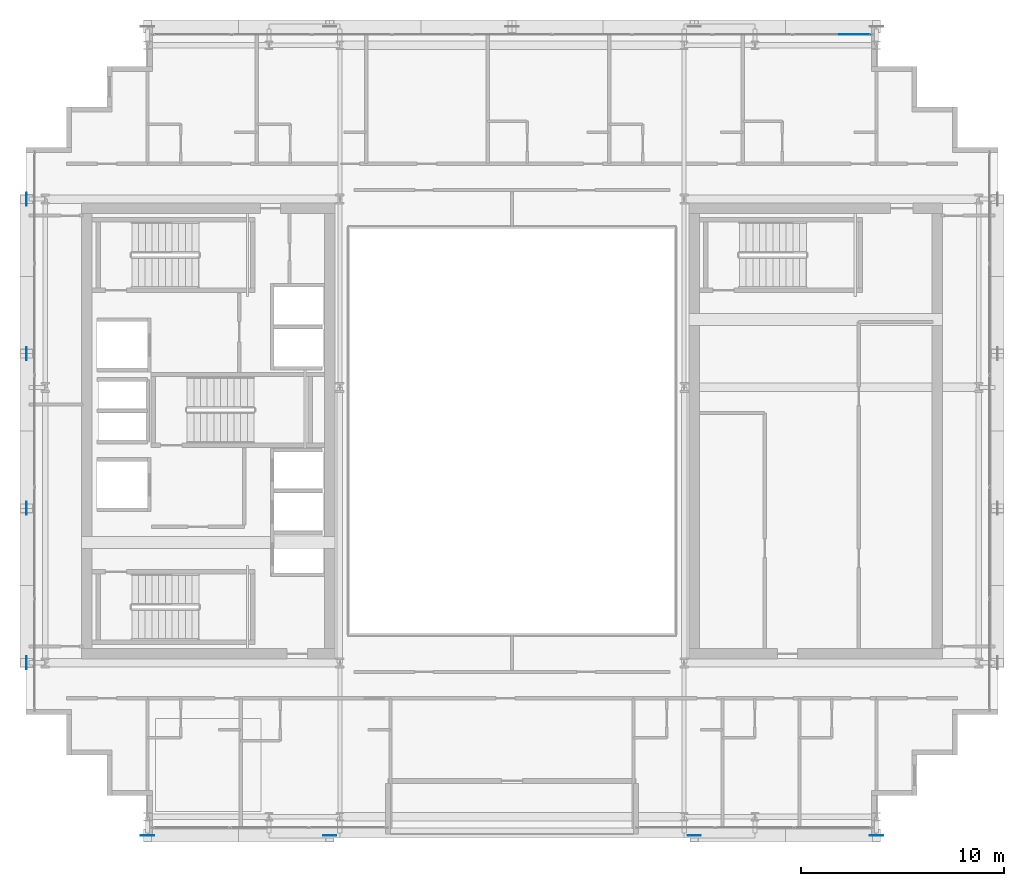
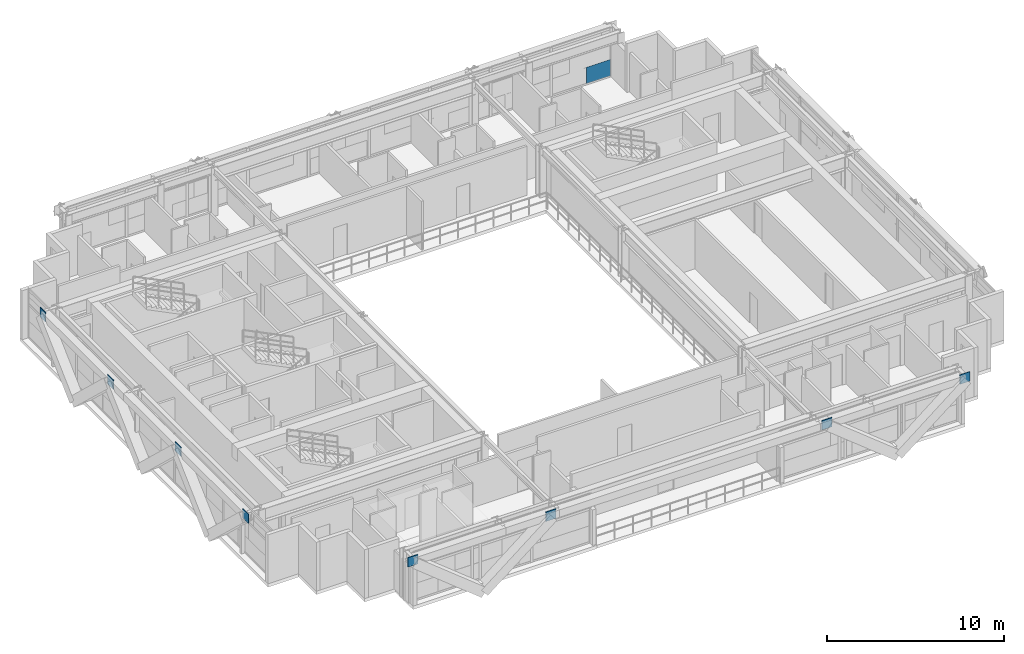
# One storey, part 22 of 32: 9 plates, 1 element without a shape of its own.
"""IFC4 building model written with IfcOpenShell, lengths in metres."""

from ifc_helpers import new_model, si_unit, direction, frame, origin, origin_2d, place, context, subcontext, project, spatial, rectangle, extrude, source, transform, mapped, material, layer, layer_set, type_object, element, aggregate, save


model = new_model("IFC4")

# Units and contexts
model_context = context("Model", 3, precision=1e-05, world=origin(), true_north=direction((0.0, 1.0)))
body_context = subcontext(model_context, "Body", "Model", "MODEL_VIEW")
ifc_project = project(units=[si_unit("LENGTHUNIT", "METRE"), si_unit("AREAUNIT", "SQUARE_METRE"), si_unit("VOLUMEUNIT", "CUBIC_METRE"), si_unit("PLANEANGLEUNIT", "RADIAN"), si_unit("MASSUNIT", "GRAM", prefix="KILO")], contexts=[model_context])

# Site, building, storey
site_placement = place(None, origin())
site = spatial("IfcSite", under=ifc_project, at=site_placement, CompositionType="ELEMENT")
building_placement = place(site_placement, origin())
building = spatial("IfcBuilding", under=site, at=building_placement, Name="Ocotamira Hotel", CompositionType="ELEMENT")
storey_placement = place(building_placement, frame((0.0, 0.0, 206.39990234375)))
storey = spatial("IfcBuildingStorey", under=building, at=storey_placement, Name="L52", CompositionType="ELEMENT", Elevation=206.39990234375)

# Plates
ifc_material_1 = material(Name="Pale-metal coated steel ASTM A572 Grade 50", Category="steel")
ifc_layer_1 = layer(ifc_material_1, 0.0400390625)
ifc_layer_set_1 = layer_set([ifc_layer_1], Name="Pale-metal coated steel ASTM A572 Grade 50")
plate_type_1 = type_object("IfcPlateType", Name="PLT-GUSSET-40", PredefinedType="SHEET", material=ifc_layer_set_1)
shared_shape_1 = source(origin(), body_context, "Body", "SweptSolid", [
    extrude(rectangle(XDim=0.64990234375, YDim=0.0400390625, at=origin_2d()), origin(), (0.0, 0.0, 1.0), 0.64990234375),
])
for number, where, z_axis, x_axis, name in (
    (1, (14.0, 6.030029296875, 2.795166015625), (0.0, 0.0, 1.0), (-1.0, 0.0, 0.0), "L52 Exoskeleton Diagrid S0.1 End Gusset B"),
    (2, (23.0, 6.030029296875, 2.795166015625), (0.0, 0.0, 1.0), (1.0, 0.0, 0.0), "L52 Exoskeleton Diagrid S0.2 End Gusset B"),
    (3, (41.0, 6.030029296875, 2.795166015625), (0.0, 0.0, 1.0), (-1.0, 0.0, 0.0), "L52 Exoskeleton Diagrid S3.1 End Gusset B"),
    (4, (50.0, 6.030029296875, 2.795166015625), (0.0, 0.0, 1.0), (1.0, 0.0, 0.0), "L52 Exoskeleton Diagrid S3.2 End Gusset B"),
):
    element("IfcPlate", number, at=place(storey_placement, frame(where, z_axis=z_axis, x_axis=x_axis)), inside=storey, type_object=plate_type_1, Name=name, PredefinedType="SHEET", context=body_context, shape_type="MappedRepresentation", body=[
        mapped(shared_shape_1, transform((0.0, 0.0, 0.0), scale=1.0)),
    ])
shared_shape_2 = source(origin(), body_context, "Body", "SweptSolid", [
    extrude(rectangle(XDim=0.0400390625, YDim=0.64990234375, at=origin_2d()), origin(), (0.0, 0.0, 1.0), 0.64990234375),
])
for number, where, z_axis, x_axis, name in (
    (5, (8.030029296875, 14.550048828125, 2.795166015625), (0.0, 0.0, 1.0), (1.0, 0.0, 0.0), "L52 Exoskeleton Diagrid W0.1 End Gusset B"),
    (6, (8.030029296875, 22.183349609375, 2.795166015625), (0.0, 0.0, 1.0), (1.0, 0.0, 0.0), "L52 Exoskeleton Diagrid W0.2 End Gusset B"),
    (7, (8.030029296875, 29.816650390625, 2.795166015625), (0.0, 0.0, 1.0), (1.0, 0.0, 0.0), "L52 Exoskeleton Diagrid W1.2 End Gusset B"),
    (8, (8.030029296875, 37.449951171875, 2.795166015625), (0.0, 0.0, 1.0), (1.0, 0.0, 0.0), "L52 Exoskeleton Diagrid W2.2 End Gusset B"),
):
    element("IfcPlate", number, at=place(storey_placement, frame(where, z_axis=z_axis, x_axis=x_axis)), inside=storey, type_object=plate_type_1, Name=name, PredefinedType="SHEET", context=body_context, shape_type="MappedRepresentation", body=[
        mapped(shared_shape_2, transform((0.0, 0.0, 0.0), scale=1.0)),
    ])

# Curtain wall, plate
ifc_material_2 = material(Name="Anodised pale-metal aluminium and solar glass", Category="aluminium")
ifc_layer_2 = layer(ifc_material_2, 0.199951171875)
ifc_layer_set_2 = layer_set([ifc_layer_2], Name="Anodised pale-metal aluminium and solar glass")
curtain_wall_type = type_object("IfcCurtainWallType", Name="CW-SYS4-Z3", PredefinedType="NOTDEFINED", material=ifc_layer_set_2)
curtain_wall_placement = place(storey_placement, origin())
curtain_wall = element("IfcCurtainWall", 9, at=curtain_wall_placement, inside=storey, type_object=curtain_wall_type, Name="L52 Curtain Wall CW-4 CW-L52-N", PredefinedType="NOTDEFINED")
ifc_material_3 = material(Name="Double-silver low-E insulated solar glass", Category="glass")
ifc_layer_3 = layer(ifc_material_3, 0.031982421875)
ifc_layer_set_3 = layer_set([ifc_layer_3], Name="Double-silver low-E insulated solar glass")
plate_type_2 = type_object("IfcPlateType", Name="CWP-VISION-32", PredefinedType="CURTAIN_PANEL", material=ifc_layer_set_3)
shared_shape_3 = source(origin(), body_context, "Body", "SweptSolid", [
    extrude(rectangle(XDim=1.5673828125, YDim=0.031982421875, at=origin_2d()), origin(), (0.0, 0.0, 1.0), 1.118896484375),
])
plate_placement = place(storey_placement, frame((48.936279296875, 45.580078125, 0.0751953125), z_axis=(0.0, 0.0, 1.0), x_axis=(1.0, 0.0, 0.0)))
plate = element("IfcPlate", 10, at=plate_placement, type_object=plate_type_2, Name="CW-4 panel 9.1.2", PredefinedType="CURTAIN_PANEL", context=body_context, shape_type="MappedRepresentation", body=[
    mapped(shared_shape_3, transform((0.0, 0.0, 0.0), scale=1.0)),
])
aggregate(curtain_wall, [plate])

save(model, "model.ifc")
